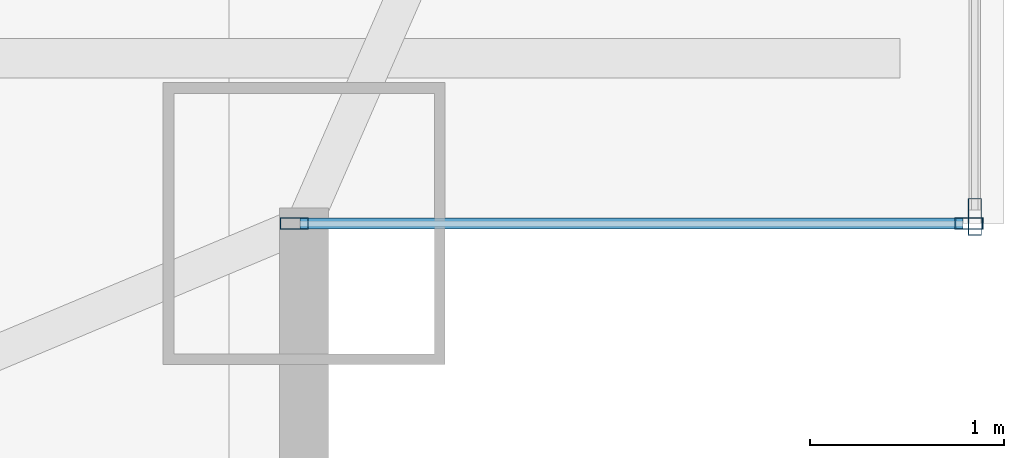
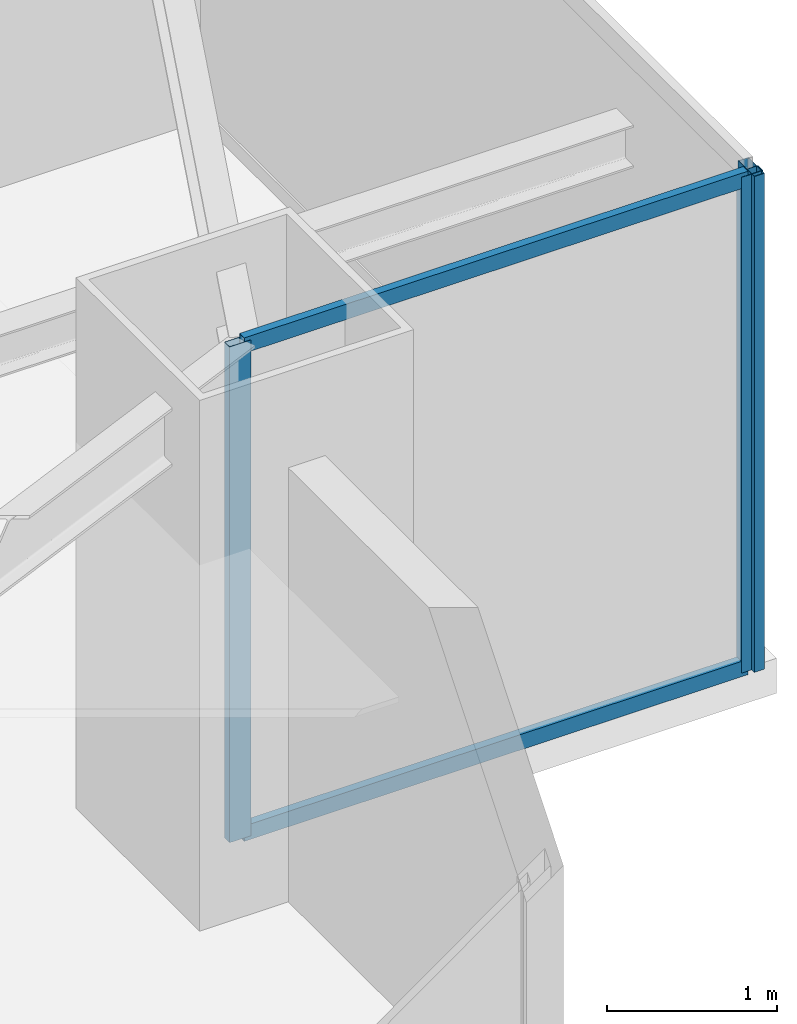
# One storey, part 16 of 32: 5 members, 2 elements without a shape of their own.
"""IFC4 building model written with IfcOpenShell, lengths in metres."""

from ifc_helpers import new_model, si_unit, direction, frame, origin, origin_2d, place, context, subcontext, project, spatial, hollow_rectangle, extrude, source, transform, mapped, material, layer, layer_set, material_profile, profile_set, type_object, type_shapes, element, aggregate, save


model = new_model("IFC4")

# Units and contexts
model_context = context("Model", 3, precision=1e-05, world=origin(), true_north=direction((0.0, 1.0)))
body_context = subcontext(model_context, "Body", "Model", "MODEL_VIEW")
ifc_project = project(units=[si_unit("LENGTHUNIT", "METRE"), si_unit("AREAUNIT", "SQUARE_METRE"), si_unit("VOLUMEUNIT", "CUBIC_METRE"), si_unit("PLANEANGLEUNIT", "RADIAN"), si_unit("MASSUNIT", "GRAM", prefix="KILO")], contexts=[model_context])

# Site, building, storey
site_placement = place(None, origin())
site = spatial("IfcSite", under=ifc_project, at=site_placement, CompositionType="ELEMENT")
building_placement = place(site_placement, origin())
building = spatial("IfcBuilding", under=site, at=building_placement, Name="Varnel Quay Broadcast Tower", CompositionType="ELEMENT")
storey_placement = place(building_placement, frame((0.0, 0.0, 133.39990234375)))
storey = spatial("IfcBuildingStorey", under=building, at=storey_placement, Name="L32", CompositionType="ELEMENT", Elevation=133.39990234375)

# Curtain wall, members
ifc_material = material(Name="Anodised Bronze Aluminium 6063-T6", Category="aluminium")
ifc_layer_1 = layer(ifc_material, 0.18994140625, Name="Anodised Bronze Aluminium 6063-T6")
ifc_layer_set_1 = layer_set([ifc_layer_1], Name="Anodised Bronze Aluminium 6063-T6")
curtain_wall_type_1 = type_object("IfcCurtainWallType", Name="CW_NotchCorner", PredefinedType="NOTDEFINED", material=ifc_layer_set_1)
curtain_wall_1_placement = place(storey_placement, origin())
curtain_wall_1 = element("IfcCurtainWall", 1, at=curtain_wall_1_placement, inside=storey, type_object=curtain_wall_type_1, Name="L32 SE Notch Curtain Wall", PredefinedType="NOTDEFINED")
ifc_material_profile_1 = material_profile(ifc_material, hollow_rectangle(XDim=0.054931640625, YDim=0.110107421875, WallThickness=0.0029296875, at=origin_2d()), Name="ALU55X110X3")
ifc_profile_set_1 = profile_set([ifc_material_profile_1], Name="Anodised Bronze Aluminium 6063-T6")
member_type_1 = type_object("IfcMemberType", Name="Tran_CWS-04", PredefinedType="USERDEFINED", material=ifc_profile_set_1)
shared_shape_1 = source(origin(), body_context, "Body", "SweptSolid", [
    extrude(hollow_rectangle(XDim=0.054931640625, YDim=0.110107421875, WallThickness=0.0029296875, at=origin_2d()), origin(), (0.0, 0.0, 1.0), 3.41015625),
])
type_shapes(member_type_1, [shared_shape_1])
member_1_placement = place(storey_placement, frame((59.8798828125, 7.800048828125, 0.027587890625), z_axis=(1.0, 0.0, 0.0), x_axis=(0.0, 1.0, 0.0)))
member_1 = element("IfcMember", 2, at=member_1_placement, type_object=member_type_1, Name="CWS-04 transom 1.1", ObjectType="TRANSOM", PredefinedType="USERDEFINED", context=body_context, shape_type="MappedRepresentation", body=[
    mapped(shared_shape_1, transform((0.0, 0.0, 0.0), x_axis=(1.0, 0.0, 0.0), y_axis=(0.0, 1.0, 0.0), z_axis=(0.0, 0.0, 1.0), scale=1.0)),
])
member_2_placement = place(storey_placement, frame((59.8798828125, 7.800048828125, 3.522705078125), z_axis=(1.0, 0.0, 0.0), x_axis=(0.0, 1.0, 0.0)))
member_2 = element("IfcMember", 3, at=member_2_placement, type_object=member_type_1, Name="CWS-04 transom 1.2", ObjectType="TRANSOM", PredefinedType="USERDEFINED", context=body_context, shape_type="MappedRepresentation", body=[
    mapped(shared_shape_1, transform((0.0, 0.0, 0.0), x_axis=(1.0, 0.0, 0.0), y_axis=(0.0, 1.0, 0.0), z_axis=(0.0, 0.0, 1.0), scale=1.0)),
])

# Curtain wall, member
ifc_layer_2 = layer(ifc_material, 0.18994140625, Name="Anodised Bronze Aluminium 6063-T6")
ifc_layer_set_2 = layer_set([ifc_layer_2], Name="Anodised Bronze Aluminium 6063-T6")
curtain_wall_type_2 = type_object("IfcCurtainWallType", Name="CW_LowerTower", PredefinedType="NOTDEFINED", material=ifc_layer_set_2)
curtain_wall_2_placement = place(storey_placement, origin())
curtain_wall_2 = element("IfcCurtainWall", 4, at=curtain_wall_2_placement, inside=storey, type_object=curtain_wall_type_2, Name="L32 East Unitised Curtain Wall", PredefinedType="NOTDEFINED")
ifc_material_profile_2 = material_profile(ifc_material, hollow_rectangle(XDim=0.070068359375, YDim=0.18994140625, WallThickness=0.00390625, at=origin_2d()), Name="ALU70X190X4")
ifc_profile_set_2 = profile_set([ifc_material_profile_2], Name="Anodised Bronze Aluminium 6063-T6")
member_type_2 = type_object("IfcMemberType", Name="Mull_CWS-02", PredefinedType="MULLION", material=ifc_profile_set_2)
shared_shape_2 = source(origin(), body_context, "Body", "SweptSolid", [
    extrude(hollow_rectangle(XDim=0.070068359375, YDim=0.18994140625, WallThickness=0.00390625, at=origin_2d()), origin(), (0.0, 0.0, 1.0), 3.550048828125),
])
type_shapes(member_type_2, [shared_shape_2])
member_3_placement = place(storey_placement, frame((63.35009765625, 7.8349609375, 0.0), z_axis=(0.0, 0.0, 1.0), x_axis=(-1.0, 0.0, 0.0)))
member_3 = element("IfcMember", 5, at=member_3_placement, type_object=member_type_2, Name="CWS-02 mullion 1", PredefinedType="MULLION", context=body_context, shape_type="MappedRepresentation", body=[
    mapped(shared_shape_2, transform((0.0, 0.0, 0.0), x_axis=(1.0, 0.0, 0.0), y_axis=(0.0, 1.0, 0.0), z_axis=(0.0, 0.0, 1.0), scale=1.0)),
])
aggregate(curtain_wall_2, [member_3])

# Member
ifc_material_profile_3 = material_profile(ifc_material, hollow_rectangle(XDim=0.06005859375, YDim=0.14501953125, WallThickness=0.00341796875, at=origin_2d()), Name="ALU60X145X3.5")
ifc_profile_set_3 = profile_set([ifc_material_profile_3], Name="Anodised Bronze Aluminium 6063-T6")
member_type_3 = type_object("IfcMemberType", Name="Mull_CWS-04", PredefinedType="MULLION", material=ifc_profile_set_3)
shared_shape_3 = source(origin(), body_context, "Body", "SweptSolid", [
    extrude(hollow_rectangle(XDim=0.06005859375, YDim=0.14501953125, WallThickness=0.00341796875, at=origin_2d()), origin(), (0.0, 0.0, 1.0), 3.550048828125),
])
type_shapes(member_type_3, [shared_shape_3])
member_4_placement = place(storey_placement, frame((59.85009765625, 7.800048828125, 0.0), z_axis=(0.0, 0.0, 1.0), x_axis=(0.0, 1.0, 0.0)))
member_4 = element("IfcMember", 6, at=member_4_placement, type_object=member_type_3, Name="CWS-04 mullion 1", PredefinedType="MULLION", context=body_context, shape_type="MappedRepresentation", body=[
    mapped(shared_shape_3, transform((0.0, 0.0, 0.0), x_axis=(1.0, 0.0, 0.0), y_axis=(0.0, 1.0, 0.0), z_axis=(0.0, 0.0, 1.0), scale=1.0)),
])

member_5_placement = place(storey_placement, frame((63.320068359375, 7.800048828125, 0.0), z_axis=(0.0, 0.0, 1.0), x_axis=(0.0, 1.0, 0.0)))
member_5 = element("IfcMember", 7, at=member_5_placement, type_object=member_type_3, Name="CWS-04 mullion 2", PredefinedType="MULLION", context=body_context, shape_type="MappedRepresentation", body=[
    mapped(shared_shape_3, transform((0.0, 0.0, 0.0), x_axis=(1.0, 0.0, 0.0), y_axis=(0.0, 1.0, 0.0), z_axis=(0.0, 0.0, 1.0), scale=1.0)),
])

aggregate(curtain_wall_1, [member_4, member_5, member_1, member_2])

save(model, "model.ifc")
